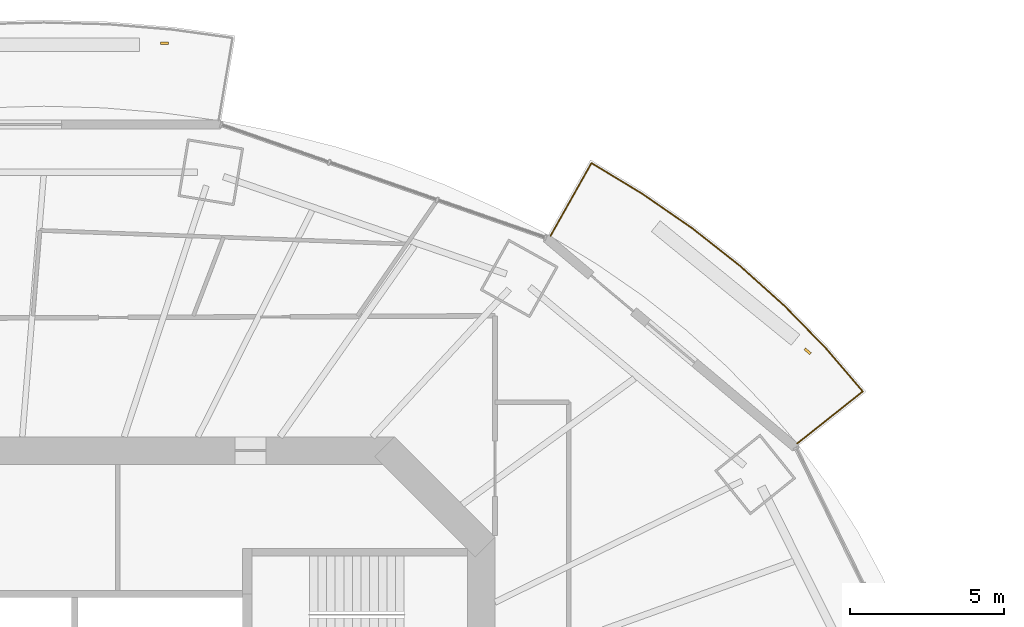
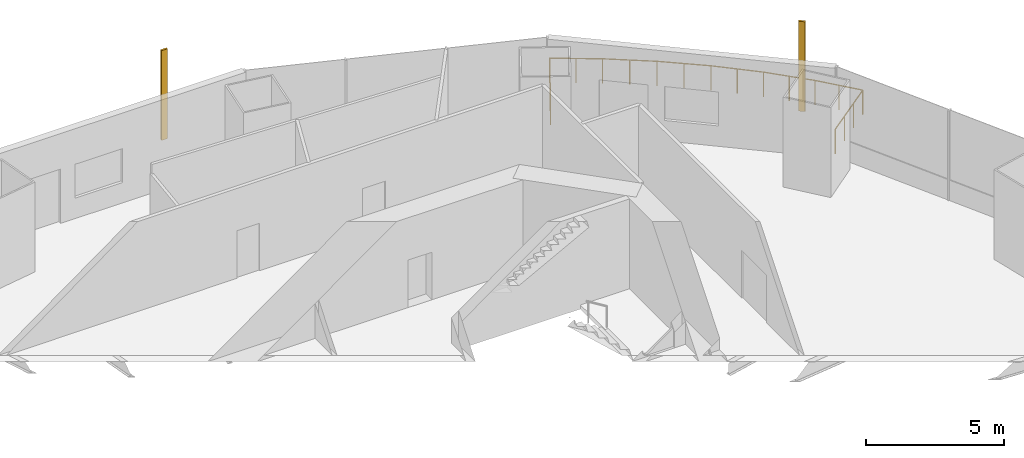
# One storey, part 17 of 18: 2 shading devices, 1 railing.
"""IFC4 building model written with IfcOpenShell, lengths in metres."""

import ifcopenshell
import ifcopenshell.guid

model = None  # the IFC model being written
_history = None  # IfcOwnerHistory: only IFC2X3 demands one
_inside = {}  # id of a spatial element -> (the spatial element, [elements in it])
_under = {}  # id of a project, library or spatial element -> (it, [spatial elements below it])
_declared = {}  # id of a project -> (the project, [libraries it declares])
_typed = {}  # id of a type object -> (the type object, [elements of that type])
_made_of = {}  # id of a material, layer set ... -> (it, [elements and type objects made of it])


def new_model(schema):
    """Start an empty IFC model of exactly this schema.

    Asked for "IFC4X3", IfcOpenShell would pick the latest addendum, in which some entities
    have other attributes; the version numbers below select the first issue.
    IFC2X3 requires an IfcOwnerHistory on every rooted entity: one is made here for all.
    """
    global model, _history
    if schema == "IFC4X3":
        model = ifcopenshell.file(schema_version=(4, 3, 0, 0))
    else:
        model = ifcopenshell.file(schema=schema)
    _inside.clear()
    _under.clear()
    _declared.clear()
    _typed.clear()
    _made_of.clear()
    _history = None
    if model.schema == "IFC2X3":
        org = make("IfcOrganization", Name="unknown")
        user = make(
            "IfcPersonAndOrganization",
            ThePerson=make("IfcPerson", FamilyName="unknown"),
            TheOrganization=org,
        )
        app = make(
            "IfcApplication",
            ApplicationDeveloper=org,
            Version="unknown",
            ApplicationFullName="unknown",
            ApplicationIdentifier="unknown",
        )
        _history = make(
            "IfcOwnerHistory",
            OwningUser=user,
            OwningApplication=app,
            ChangeAction="ADDED",
            CreationDate=0,
        )
    return model


def make(cls, **values):
    """One entity of the class cls with the attributes given. An attribute that is None is left unset."""
    return model.create_entity(
        cls, **{name: value for name, value in values.items() if value is not None}
    )


def rooted(cls, **values):
    """An entity with a GlobalId (a new one), such as an element, a storey or a relation."""
    return make(cls, GlobalId=ifcopenshell.guid.new(), OwnerHistory=_history, **values)


def si_unit(unit_type, name, prefix=None):
    """IfcSIUnit, for example si_unit("LENGTHUNIT", "METRE", prefix="MILLI")."""
    return make("IfcSIUnit", UnitType=unit_type, Prefix=prefix, Name=name)


def assignment(units):
    """IfcUnitAssignment: the units of a project."""
    return None if units is None else make("IfcUnitAssignment", Units=units)


def point(xyz):
    """IfcCartesianPoint."""
    return None if xyz is None else make("IfcCartesianPoint", Coordinates=xyz)


def direction(xyz):
    """IfcDirection."""
    return None if xyz is None else make("IfcDirection", DirectionRatios=xyz)


def frame(location, z_axis=None, x_axis=None):
    """IfcAxis2Placement3D, a coordinate frame: its origin and axes. An axis left out is left unset."""
    return make(
        "IfcAxis2Placement3D",
        Location=point(location),
        Axis=direction(z_axis),
        RefDirection=direction(x_axis),
    )


def frame_2d(location, x_axis=None):
    """IfcAxis2Placement2D, a coordinate frame in the plane: its origin and x axis."""
    return make(
        "IfcAxis2Placement2D", Location=point(location), RefDirection=direction(x_axis)
    )


def origin():
    """The frame at (0, 0, 0) with its axes left unset."""
    return frame((0.0, 0.0, 0.0))


def origin_2d():
    """The frame at (0, 0) in the plane with its x axis left unset."""
    return frame_2d((0.0, 0.0))


def place(relative_to, where):
    """IfcLocalPlacement: puts the frame where relative to a parent placement (None: the world)."""
    return make(
        "IfcLocalPlacement", PlacementRelTo=relative_to, RelativePlacement=where
    )


def context(
    kind, dimensions, precision=None, world=None, true_north=None, identifier=None
):
    """IfcGeometricRepresentationContext, for example the 3D "Model" context."""
    return make(
        "IfcGeometricRepresentationContext",
        ContextIdentifier=identifier,
        ContextType=kind,
        CoordinateSpaceDimension=dimensions,
        Precision=precision,
        WorldCoordinateSystem=world,
        TrueNorth=true_north,
    )


def subcontext(parent, identifier, kind, view, scale=None):
    """IfcGeometricRepresentationSubContext, for example "Body" below "Model"."""
    return make(
        "IfcGeometricRepresentationSubContext",
        ContextIdentifier=identifier,
        ContextType=kind,
        ParentContext=parent,
        TargetScale=scale,
        TargetView=view,
    )


def project(units=None, contexts=None):
    """IfcProject with its units and contexts."""
    return rooted(
        "IfcProject",
        Name="project",
        RepresentationContexts=contexts,
        UnitsInContext=assignment(units),
    )


def spatial(cls, under=None, at=None, **own):
    """A site, building, storey or space (cls), placed at a placement, below another one or the project."""
    s = rooted(cls, ObjectPlacement=at, **own)
    if under is not None:
        _under.setdefault(under.id(), (under, []))[1].append(s)
    return s


def profile(cls, at=None, kind="AREA", **sizes):
    """A parametric profile (cls). Its sizes go by their IFC names, for example OverallWidth=200.0."""
    return make(cls, ProfileType=kind, Position=at, **sizes)


def rectangle(**sizes):
    """IfcRectangleProfileDef."""
    return profile("IfcRectangleProfileDef", **sizes)


def circle(**sizes):
    """IfcCircleProfileDef."""
    return profile("IfcCircleProfileDef", **sizes)


def extrude(swept, where, along, depth):
    """IfcExtrudedAreaSolid: the profile swept, set in the frame where, extruded along a direction by depth."""
    return make(
        "IfcExtrudedAreaSolid",
        SweptArea=swept,
        Position=where,
        ExtrudedDirection=direction(along),
        Depth=depth,
    )


def shape(context_of_items, identifier, shape_type, items):
    """IfcShapeRepresentation: the items that make up one representation, for example the "Body"."""
    return make(
        "IfcShapeRepresentation",
        ContextOfItems=context_of_items,
        RepresentationIdentifier=identifier,
        RepresentationType=shape_type,
        Items=items,
    )


def material(Name=None, Category=None):
    """IfcMaterial."""
    return make("IfcMaterial", Name=Name, Category=Category)


def material_profile(
    of_material, cross_section, Name=None, Category=None, Priority=None
):
    """IfcMaterialProfile: a cross section and its material."""
    return make(
        "IfcMaterialProfile",
        Name=Name,
        Material=of_material,
        Profile=cross_section,
        Priority=Priority,
        Category=Category,
    )


def profile_set(profiles, Name=None, composite=None):
    """IfcMaterialProfileSet."""
    return make(
        "IfcMaterialProfileSet",
        Name=Name,
        MaterialProfiles=profiles,
        CompositeProfile=composite,
    )


def made_of(thing, what):
    """Note that an element or type object is made of a material, layer set ...; save() writes the relation."""
    if what is not None:
        _made_of.setdefault(what.id(), (what, []))[1].append(thing)
    return thing


def type_object(cls, material=None, **own):
    """A type object (cls), such as IfcWallType, which elements share."""
    return made_of(rooted(cls, **own), material)


def element(
    cls,
    number,
    at=None,
    inside=None,
    cuts=None,
    type_object=None,
    material=None,
    context=None,
    identifier="Body",
    shape_type=None,
    held_by="IfcProductDefinitionShape",
    body=None,
    shapes=None,
    **own,
):
    """One element of the class cls, such as IfcWall. Its Tag is "e" and its number.

    at: its placement. inside: the storey or other place that contains it. cuts: it is an
    opening in that element (IfcRelVoidsElement). A single representation is given by context,
    identifier, shape_type and body (its items); several are given by shapes. held_by: the class
    of the entity that holds the representations. save() writes the other relations.
    """
    e = rooted(cls, Tag="e%d" % number, ObjectPlacement=at, **own)
    if body is not None:
        shapes = [shape(context, identifier, shape_type, body)]
    if shapes is not None:
        e.Representation = make(held_by, Representations=shapes)
    if inside is not None:
        _inside.setdefault(inside.id(), (inside, []))[1].append(e)
    if cuts is not None:
        rooted(
            "IfcRelVoidsElement", RelatingBuildingElement=cuts, RelatedOpeningElement=e
        )
    if type_object is not None:
        _typed.setdefault(type_object.id(), (type_object, []))[1].append(e)
    return made_of(e, material)


def aggregate(whole, parts):
    """IfcRelAggregates: a whole, such as a stair, and the parts it consists of."""
    return rooted("IfcRelAggregates", RelatingObject=whole, RelatedObjects=parts)


def save(model, path):
    """Write the relations noted so far, then the file.

    IfcRelAggregates (storeys below a building ...), IfcRelContainedInSpatialStructure (elements
    in a storey), IfcRelDefinesByType, IfcRelAssociatesMaterial and IfcRelDeclares: one each for
    every whole, place, type object, material and project.
    """
    for whole, parts in _under.values():
        aggregate(whole, parts)
    for where, things in _inside.values():
        rooted(
            "IfcRelContainedInSpatialStructure",
            RelatedElements=things,
            RelatingStructure=where,
        )
    for kind, things in _typed.values():
        rooted("IfcRelDefinesByType", RelatedObjects=things, RelatingType=kind)
    for what, things in _made_of.values():
        rooted("IfcRelAssociatesMaterial", RelatedObjects=things, RelatingMaterial=what)
    for by, libraries in _declared.values():
        rooted("IfcRelDeclares", RelatingContext=by, RelatedDefinitions=libraries)
    model.write(path)


model = new_model("IFC4")

# Units and contexts
model_context = context("Model", 3, precision=1e-05, world=origin(), true_north=direction((0.0, 1.0)))
body_context = subcontext(model_context, "Body", "Model", "MODEL_VIEW")
ifc_project = project(units=[si_unit("LENGTHUNIT", "METRE"), si_unit("AREAUNIT", "SQUARE_METRE"), si_unit("VOLUMEUNIT", "CUBIC_METRE"), si_unit("PLANEANGLEUNIT", "RADIAN"), si_unit("MASSUNIT", "GRAM", prefix="KILO")], contexts=[model_context])

# Site, building, storey
site_placement = place(None, origin())
site = spatial("IfcSite", under=ifc_project, at=site_placement, CompositionType="ELEMENT")
building_placement = place(site_placement, origin())
building = spatial("IfcBuilding", under=site, at=building_placement, Name="Marenthal Gate Tower", CompositionType="ELEMENT")
storey_placement = place(building_placement, frame((0.0, 0.0, 260.64990234375)))
storey = spatial("IfcBuildingStorey", under=building, at=storey_placement, Name="L58", CompositionType="ELEMENT", Elevation=260.64990234375)

# Railing
ifc_material_1 = material(Name="Stainless steel", Category="steel")
railing_type = type_object("IfcRailingType", Name="Balcony guard 1100", PredefinedType="GUARDRAIL", material=ifc_material_1)
railing_placement = place(storey_placement, frame((18.24853515625, 19.971435546875, 0.0)))
element("IfcRailing", 1, at=railing_placement, inside=storey, type_object=railing_type, Name="Balcony guard L58 bay 2", PredefinedType="GUARDRAIL", context=body_context, shape_type="SweptSolid", body=[
    extrude(circle(Radius=0.02392578125, at=origin_2d()), frame((0.0, 0.0, 1.076171875), z_axis=(0.49011077196, 0.87153739361, -0.014628832783), x_axis=(-0.871630664279, 0.490163222905, 0.0)), (0.0, 0.0, 1.0), 2.72021484375),
    extrude(circle(Radius=0.02392578125, at=origin_2d()), frame((1.333251953125, 2.370849609375, 1.0361328125), z_axis=(0.855802788103, -0.517302221023, 0.0), x_axis=(0.517302221023, 0.855802788103, 0.0)), (0.0, 0.0, 1.0), 1.9169921875),
    extrude(circle(Radius=0.02392578125, at=origin_2d()), frame((2.973876953125, 1.379150390625, 1.0361328125), z_axis=(0.823073780852, -0.567934460369, 0.0), x_axis=(0.567934460369, 0.823073780852, 0.0)), (0.0, 0.0, 1.0), 1.981689453125),
    extrude(circle(Radius=0.02392578125, at=origin_2d()), frame((4.60498046875, 0.253662109375, 1.0361328125), z_axis=(0.78557216762, -0.618770045705, 0.0), x_axis=(0.618770045705, 0.78557216762, 0.0)), (0.0, 0.0, 1.0), 1.965576171875),
    extrude(circle(Radius=0.02392578125, at=origin_2d()), frame((6.149169921875, -0.962646484375, 1.0361328125), z_axis=(0.744090634805, -0.668078683387, 0.0), x_axis=(0.668078683387, 0.744090634805, 0.0)), (0.0, 0.0, 1.0), 1.94970703125),
    extrude(circle(Radius=0.02392578125, at=origin_2d()), frame((7.599853515625, -2.26513671875, 1.0361328125), z_axis=(0.698404320823, -0.715703433452, 0.0), x_axis=(0.715703433452, 0.698404320823, 0.0)), (0.0, 0.0, 1.0), 1.933349609375),
    extrude(circle(Radius=0.02392578125, at=origin_2d()), frame((8.9501953125, -3.64892578125, 1.0361328125), z_axis=(0.649762582355, -0.760137215621, 0.0), x_axis=(0.760137215621, 0.649762582355, 0.0)), (0.0, 0.0, 1.0), 1.838134765625),
    extrude(circle(Radius=0.02392578125, at=origin_2d()), frame((10.14453125, -5.046142578125, 1.0361328125), z_axis=(-0.783100311053, -0.621723307125, 0.014629839622), x_axis=(0.621789852213, -0.783184128852, 0.0)), (0.0, 0.0, 1.0), 2.72021484375),
    extrude(circle(Radius=0.02099609375, at=origin_2d()), origin(), (0.0, 0.0, 1.0), 1.052001953125),
    extrude(circle(Radius=0.02099609375, at=origin_2d()), frame((0.4443359375, 0.790283203125, -0.01318359375)), (0.0, 0.0, 1.0), 1.052001953125),
    extrude(circle(Radius=0.02099609375, at=origin_2d()), frame((0.888916015625, 1.58056640625, -0.026611328125)), (0.0, 0.0, 1.0), 1.052001953125),
    extrude(circle(Radius=0.02099609375, at=origin_2d()), frame((1.333251953125, 2.370849609375, -0.039794921875)), (0.0, 0.0, 1.0), 1.052001953125),
    extrude(circle(Radius=0.02099609375, at=origin_2d()), frame((2.153564453125, 1.875, -0.039794921875)), (0.0, 0.0, 1.0), 1.052001953125),
    extrude(circle(Radius=0.02099609375, at=origin_2d()), frame((2.973876953125, 1.379150390625, -0.039794921875)), (0.0, 0.0, 1.0), 1.052001953125),
    extrude(circle(Radius=0.02099609375, at=origin_2d()), frame((3.78955078125, 0.81640625, -0.039794921875)), (0.0, 0.0, 1.0), 1.052001953125),
    extrude(circle(Radius=0.02099609375, at=origin_2d()), frame((4.60498046875, 0.253662109375, -0.039794921875)), (0.0, 0.0, 1.0), 1.052001953125),
    extrude(circle(Radius=0.02099609375, at=origin_2d()), frame((5.376953125, -0.3544921875, -0.039794921875)), (0.0, 0.0, 1.0), 1.052001953125),
    extrude(circle(Radius=0.02099609375, at=origin_2d()), frame((6.149169921875, -0.962646484375, -0.039794921875)), (0.0, 0.0, 1.0), 1.052001953125),
    extrude(circle(Radius=0.02099609375, at=origin_2d()), frame((6.87451171875, -1.61376953125, -0.039794921875)), (0.0, 0.0, 1.0), 1.052001953125),
    extrude(circle(Radius=0.02099609375, at=origin_2d()), frame((7.599853515625, -2.26513671875, -0.039794921875)), (0.0, 0.0, 1.0), 1.052001953125),
    extrude(circle(Radius=0.02099609375, at=origin_2d()), frame((8.27490234375, -2.95703125, -0.039794921875)), (0.0, 0.0, 1.0), 1.052001953125),
    extrude(circle(Radius=0.02099609375, at=origin_2d()), frame((8.9501953125, -3.64892578125, -0.039794921875)), (0.0, 0.0, 1.0), 1.052001953125),
    extrude(circle(Radius=0.02099609375, at=origin_2d()), frame((9.54736328125, -4.34765625, -0.039794921875)), (0.0, 0.0, 1.0), 1.052001953125),
    extrude(circle(Radius=0.02099609375, at=origin_2d()), frame((10.14453125, -5.046142578125, -0.039794921875)), (0.0, 0.0, 1.0), 1.052001953125),
    extrude(circle(Radius=0.02099609375, at=origin_2d()), frame((9.4345703125, -5.60986328125, -0.026611328125)), (0.0, 0.0, 1.0), 1.052001953125),
    extrude(circle(Radius=0.02099609375, at=origin_2d()), frame((8.724365234375, -6.173583984375, -0.01318359375)), (0.0, 0.0, 1.0), 1.052001953125),
    extrude(circle(Radius=0.02099609375, at=origin_2d()), frame((8.014404296875, -6.7373046875, 0.0)), (0.0, 0.0, 1.0), 1.052001953125),
])

# Shading devices
ifc_material_2 = material(Name="Terracotta", Category="masonry")
ifc_material_profile = material_profile(ifc_material_2, rectangle(XDim=0.25, YDim=0.080078125, at=origin_2d()), Name="Terracotta baguette 250x80")
ifc_profile_set = profile_set([ifc_material_profile], Name="Terracotta")
shading_device_type = type_object("IfcShadingDeviceType", Name="Terracotta BAGUETTE SCREEN 250x80", PredefinedType="USERDEFINED", material=ifc_profile_set)
for number, where, z_axis, x_axis, name in (
    (2, (26.60302734375, 16.2275390625, -0.039794921875), (0.0, 0.0, 1.0), (-0.765301302142, 0.64367221234, 0.0), "Terracotta BAGUETTE L58 bay 2L"),
    (3, (5.71337890625, 26.23291015625, -0.039794921875), (0.0, 0.0, 1.0), (-1.0, 0.0, 0.0), "Terracotta BAGUETTE L58 bay 4L"),
):
    element("IfcShadingDevice", number, at=place(storey_placement, frame(where, z_axis=z_axis, x_axis=x_axis)), inside=storey, type_object=shading_device_type, Name=name, ObjectType="BAGUETTE SCREEN", PredefinedType="USERDEFINED", context=body_context, shape_type="SweptSolid", body=[
        extrude(rectangle(XDim=0.25, YDim=0.080078125, at=origin_2d()), origin(), (0.0, 0.0, 1.0), 3.969970703125),
    ])

save(model, "model.ifc")
